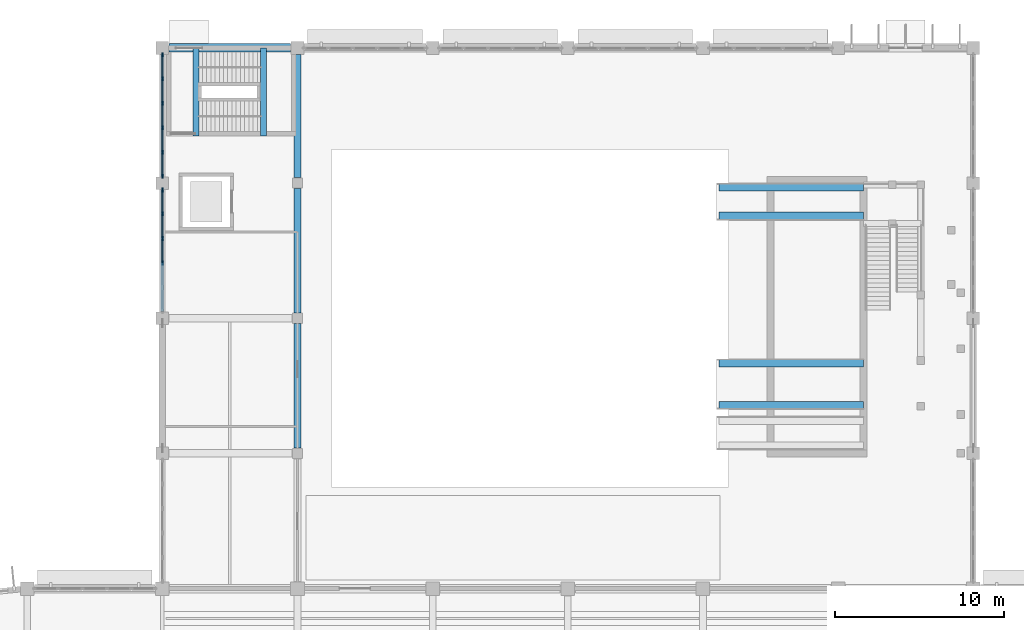
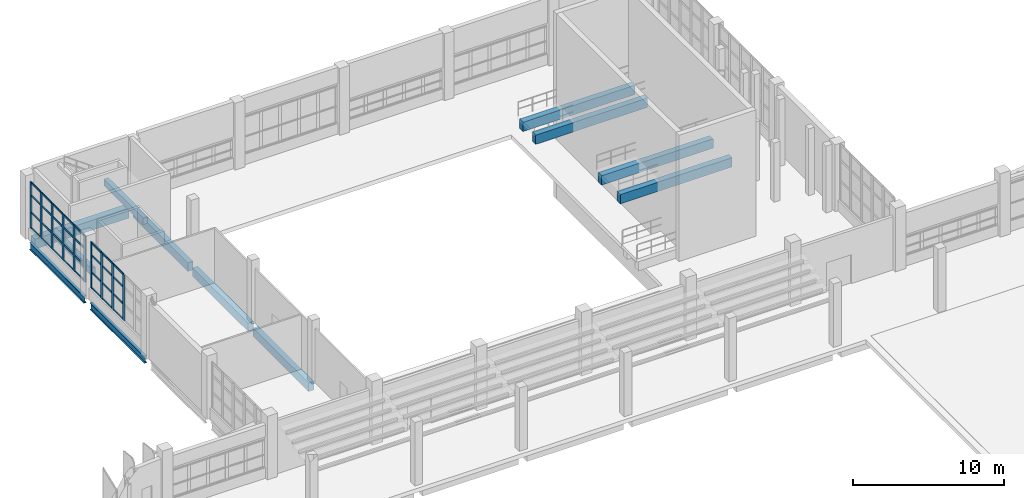
# One storey, part 28 of 103: 42 members, 12 beams, 2 elements without a shape of their own.
"""IFC4 building model written with IfcOpenShell, lengths in metres."""

import ifcopenshell
import ifcopenshell.guid

model = None  # the IFC model being written
_history = None  # IfcOwnerHistory: only IFC2X3 demands one
_inside = {}  # id of a spatial element -> (the spatial element, [elements in it])
_under = {}  # id of a project, library or spatial element -> (it, [spatial elements below it])
_declared = {}  # id of a project -> (the project, [libraries it declares])
_typed = {}  # id of a type object -> (the type object, [elements of that type])
_made_of = {}  # id of a material, layer set ... -> (it, [elements and type objects made of it])


def new_model(schema):
    """Start an empty IFC model of exactly this schema.

    Asked for "IFC4X3", IfcOpenShell would pick the latest addendum, in which some entities
    have other attributes; the version numbers below select the first issue.
    IFC2X3 requires an IfcOwnerHistory on every rooted entity: one is made here for all.
    """
    global model, _history
    if schema == "IFC4X3":
        model = ifcopenshell.file(schema_version=(4, 3, 0, 0))
    else:
        model = ifcopenshell.file(schema=schema)
    _inside.clear()
    _under.clear()
    _declared.clear()
    _typed.clear()
    _made_of.clear()
    _history = None
    if model.schema == "IFC2X3":
        org = make("IfcOrganization", Name="unknown")
        user = make(
            "IfcPersonAndOrganization",
            ThePerson=make("IfcPerson", FamilyName="unknown"),
            TheOrganization=org,
        )
        app = make(
            "IfcApplication",
            ApplicationDeveloper=org,
            Version="unknown",
            ApplicationFullName="unknown",
            ApplicationIdentifier="unknown",
        )
        _history = make(
            "IfcOwnerHistory",
            OwningUser=user,
            OwningApplication=app,
            ChangeAction="ADDED",
            CreationDate=0,
        )
    return model


def make(cls, **values):
    """One entity of the class cls with the attributes given. An attribute that is None is left unset."""
    return model.create_entity(
        cls, **{name: value for name, value in values.items() if value is not None}
    )


def rooted(cls, **values):
    """An entity with a GlobalId (a new one), such as an element, a storey or a relation."""
    return make(cls, GlobalId=ifcopenshell.guid.new(), OwnerHistory=_history, **values)


def si_unit(unit_type, name, prefix=None):
    """IfcSIUnit, for example si_unit("LENGTHUNIT", "METRE", prefix="MILLI")."""
    return make("IfcSIUnit", UnitType=unit_type, Prefix=prefix, Name=name)


def assignment(units):
    """IfcUnitAssignment: the units of a project."""
    return None if units is None else make("IfcUnitAssignment", Units=units)


def point(xyz):
    """IfcCartesianPoint."""
    return None if xyz is None else make("IfcCartesianPoint", Coordinates=xyz)


def direction(xyz):
    """IfcDirection."""
    return None if xyz is None else make("IfcDirection", DirectionRatios=xyz)


def frame(location, z_axis=None, x_axis=None):
    """IfcAxis2Placement3D, a coordinate frame: its origin and axes. An axis left out is left unset."""
    return make(
        "IfcAxis2Placement3D",
        Location=point(location),
        Axis=direction(z_axis),
        RefDirection=direction(x_axis),
    )


def frame_2d(location, x_axis=None):
    """IfcAxis2Placement2D, a coordinate frame in the plane: its origin and x axis."""
    return make(
        "IfcAxis2Placement2D", Location=point(location), RefDirection=direction(x_axis)
    )


def origin():
    """The frame at (0, 0, 0) with its axes left unset."""
    return frame((0.0, 0.0, 0.0))


def origin_2d():
    """The frame at (0, 0) in the plane with its x axis left unset."""
    return frame_2d((0.0, 0.0))


def place(relative_to, where):
    """IfcLocalPlacement: puts the frame where relative to a parent placement (None: the world)."""
    return make(
        "IfcLocalPlacement", PlacementRelTo=relative_to, RelativePlacement=where
    )


def context(
    kind, dimensions, precision=None, world=None, true_north=None, identifier=None
):
    """IfcGeometricRepresentationContext, for example the 3D "Model" context."""
    return make(
        "IfcGeometricRepresentationContext",
        ContextIdentifier=identifier,
        ContextType=kind,
        CoordinateSpaceDimension=dimensions,
        Precision=precision,
        WorldCoordinateSystem=world,
        TrueNorth=true_north,
    )


def subcontext(parent, identifier, kind, view, scale=None):
    """IfcGeometricRepresentationSubContext, for example "Body" below "Model"."""
    return make(
        "IfcGeometricRepresentationSubContext",
        ContextIdentifier=identifier,
        ContextType=kind,
        ParentContext=parent,
        TargetScale=scale,
        TargetView=view,
    )


def project(units=None, contexts=None):
    """IfcProject with its units and contexts."""
    return rooted(
        "IfcProject",
        Name="project",
        RepresentationContexts=contexts,
        UnitsInContext=assignment(units),
    )


def spatial(cls, under=None, at=None, **own):
    """A site, building, storey or space (cls), placed at a placement, below another one or the project."""
    s = rooted(cls, ObjectPlacement=at, **own)
    if under is not None:
        _under.setdefault(under.id(), (under, []))[1].append(s)
    return s


def profile(cls, at=None, kind="AREA", **sizes):
    """A parametric profile (cls). Its sizes go by their IFC names, for example OverallWidth=200.0."""
    return make(cls, ProfileType=kind, Position=at, **sizes)


def rectangle(**sizes):
    """IfcRectangleProfileDef."""
    return profile("IfcRectangleProfileDef", **sizes)


def i_section(**sizes):
    """IfcIShapeProfileDef."""
    return profile("IfcIShapeProfileDef", **sizes)


def extrude(swept, where, along, depth):
    """IfcExtrudedAreaSolid: the profile swept, set in the frame where, extruded along a direction by depth."""
    return make(
        "IfcExtrudedAreaSolid",
        SweptArea=swept,
        Position=where,
        ExtrudedDirection=direction(along),
        Depth=depth,
    )


def shape(context_of_items, identifier, shape_type, items):
    """IfcShapeRepresentation: the items that make up one representation, for example the "Body"."""
    return make(
        "IfcShapeRepresentation",
        ContextOfItems=context_of_items,
        RepresentationIdentifier=identifier,
        RepresentationType=shape_type,
        Items=items,
    )


def material(Name=None, Category=None):
    """IfcMaterial."""
    return make("IfcMaterial", Name=Name, Category=Category)


def layer(
    of_material, thickness, ventilated=None, Name=None, Category=None, Priority=None
):
    """IfcMaterialLayer: one layer of a wall or slab, of a material (None: an air gap)."""
    return make(
        "IfcMaterialLayer",
        Material=of_material,
        LayerThickness=thickness,
        IsVentilated=ventilated,
        Name=Name,
        Category=Category,
        Priority=Priority,
    )


def layer_set(layers, Name=None):
    """IfcMaterialLayerSet."""
    return make("IfcMaterialLayerSet", MaterialLayers=layers, LayerSetName=Name)


def material_profile(
    of_material, cross_section, Name=None, Category=None, Priority=None
):
    """IfcMaterialProfile: a cross section and its material."""
    return make(
        "IfcMaterialProfile",
        Name=Name,
        Material=of_material,
        Profile=cross_section,
        Priority=Priority,
        Category=Category,
    )


def profile_set(profiles, Name=None, composite=None):
    """IfcMaterialProfileSet."""
    return make(
        "IfcMaterialProfileSet",
        Name=Name,
        MaterialProfiles=profiles,
        CompositeProfile=composite,
    )


def made_of(thing, what):
    """Note that an element or type object is made of a material, layer set ...; save() writes the relation."""
    if what is not None:
        _made_of.setdefault(what.id(), (what, []))[1].append(thing)
    return thing


def type_object(cls, material=None, **own):
    """A type object (cls), such as IfcWallType, which elements share."""
    return made_of(rooted(cls, **own), material)


def element(
    cls,
    number,
    at=None,
    inside=None,
    cuts=None,
    type_object=None,
    material=None,
    context=None,
    identifier="Body",
    shape_type=None,
    held_by="IfcProductDefinitionShape",
    body=None,
    shapes=None,
    **own,
):
    """One element of the class cls, such as IfcWall. Its Tag is "e" and its number.

    at: its placement. inside: the storey or other place that contains it. cuts: it is an
    opening in that element (IfcRelVoidsElement). A single representation is given by context,
    identifier, shape_type and body (its items); several are given by shapes. held_by: the class
    of the entity that holds the representations. save() writes the other relations.
    """
    e = rooted(cls, Tag="e%d" % number, ObjectPlacement=at, **own)
    if body is not None:
        shapes = [shape(context, identifier, shape_type, body)]
    if shapes is not None:
        e.Representation = make(held_by, Representations=shapes)
    if inside is not None:
        _inside.setdefault(inside.id(), (inside, []))[1].append(e)
    if cuts is not None:
        rooted(
            "IfcRelVoidsElement", RelatingBuildingElement=cuts, RelatedOpeningElement=e
        )
    if type_object is not None:
        _typed.setdefault(type_object.id(), (type_object, []))[1].append(e)
    return made_of(e, material)


def aggregate(whole, parts):
    """IfcRelAggregates: a whole, such as a stair, and the parts it consists of."""
    return rooted("IfcRelAggregates", RelatingObject=whole, RelatedObjects=parts)


def save(model, path):
    """Write the relations noted so far, then the file.

    IfcRelAggregates (storeys below a building ...), IfcRelContainedInSpatialStructure (elements
    in a storey), IfcRelDefinesByType, IfcRelAssociatesMaterial and IfcRelDeclares: one each for
    every whole, place, type object, material and project.
    """
    for whole, parts in _under.values():
        aggregate(whole, parts)
    for where, things in _inside.values():
        rooted(
            "IfcRelContainedInSpatialStructure",
            RelatedElements=things,
            RelatingStructure=where,
        )
    for kind, things in _typed.values():
        rooted("IfcRelDefinesByType", RelatedObjects=things, RelatingType=kind)
    for what, things in _made_of.values():
        rooted("IfcRelAssociatesMaterial", RelatedObjects=things, RelatingMaterial=what)
    for by, libraries in _declared.values():
        rooted("IfcRelDeclares", RelatingContext=by, RelatedDefinitions=libraries)
    model.write(path)


model = new_model("IFC4")

# Units and contexts
model_context = context("Model", 3, precision=1e-05, world=origin(), true_north=direction((0.0, 1.0)))
body_context = subcontext(model_context, "Body", "Model", "MODEL_VIEW")
ifc_project = project(units=[si_unit("LENGTHUNIT", "METRE"), si_unit("AREAUNIT", "SQUARE_METRE"), si_unit("VOLUMEUNIT", "CUBIC_METRE"), si_unit("PLANEANGLEUNIT", "RADIAN"), si_unit("MASSUNIT", "GRAM", prefix="KILO")], contexts=[model_context])

# Site, building, storey
site_placement = place(None, origin())
site = spatial("IfcSite", under=ifc_project, at=site_placement, CompositionType="ELEMENT")
building_placement = place(site_placement, origin())
building = spatial("IfcBuilding", under=site, at=building_placement, Name="Drelvana Railside Aquatics Centre", CompositionType="ELEMENT")
storey_placement = place(building_placement, origin())
storey = spatial("IfcBuildingStorey", under=building, at=storey_placement, Name="L00", CompositionType="ELEMENT", Elevation=0.0)

# Curtain wall, members
ifc_material_1 = material(Name="Bronze-anodised aluminium curtain wall", Category="aluminium")
ifc_layer = layer(ifc_material_1, 0.2099609375, Name="Bronze-anodised aluminium curtain wall")
ifc_layer_set = layer_set([ifc_layer], Name="Bronze-anodised aluminium curtain wall")
curtain_wall_type = type_object("IfcCurtainWallType", Name="CW-Z7-DIVE", PredefinedType="NOTDEFINED", material=ifc_layer_set)
curtain_wall_1_placement = place(storey_placement, origin())
curtain_wall_1 = element("IfcCurtainWall", 1, at=curtain_wall_1_placement, inside=storey, type_object=curtain_wall_type, Name="Curtain wall CW-07-084", PredefinedType="NOTDEFINED")
ifc_material_2 = material(Name="Bronze-anodised aluminium 6063-T6", Category="aluminium")
ifc_material_profile_1 = material_profile(ifc_material_2, rectangle(XDim=0.080078125, YDim=0.25, at=origin_2d()), Name="ALU-M 80x250")
ifc_profile_set_1 = profile_set([ifc_material_profile_1], Name="Bronze-anodised aluminium 6063-T6")
member_type_1 = type_object("IfcMemberType", Name="CW-Z7-DIVE-MUL", PredefinedType="MULLION", material=ifc_profile_set_1)
member_1_placement = place(storey_placement, frame((24.0, 103.273681640625, 0.843994140625), z_axis=(0.0, 0.0, 1.0), x_axis=(-1.0, 0.0, 0.0)))
member_1 = element("IfcMember", 2, at=member_1_placement, type_object=member_type_1, Name="CW-07 mullion 3", PredefinedType="MULLION", context=body_context, shape_type="SweptSolid", body=[
    extrude(rectangle(XDim=0.080078125, YDim=0.25, at=origin_2d()), origin(), (0.0, 0.0, 1.0), 3.7109375),
])
member_2_placement = place(storey_placement, frame((24.0, 104.726318359375, 0.843994140625), z_axis=(0.0, 0.0, 1.0), x_axis=(-1.0, 0.0, 0.0)))
member_2 = element("IfcMember", 3, at=member_2_placement, type_object=member_type_1, Name="CW-07 mullion 4", PredefinedType="MULLION", context=body_context, shape_type="SweptSolid", body=[
    extrude(rectangle(XDim=0.080078125, YDim=0.25, at=origin_2d()), origin(), (0.0, 0.0, 1.0), 3.7109375),
])
member_3_placement = place(storey_placement, frame((24.0, 106.1787109375, 0.843994140625), z_axis=(0.0, 0.0, 1.0), x_axis=(-1.0, 0.0, 0.0)))
member_3 = element("IfcMember", 4, at=member_3_placement, type_object=member_type_1, Name="CW-07 mullion 5", PredefinedType="MULLION", context=body_context, shape_type="SweptSolid", body=[
    extrude(rectangle(XDim=0.080078125, YDim=0.25, at=origin_2d()), origin(), (0.0, 0.0, 1.0), 3.7109375),
])
member_4_placement = place(storey_placement, frame((24.0, 107.591064453125, 0.843994140625), z_axis=(0.0, 0.0, 1.0), x_axis=(-1.0, 0.0, 0.0)))
member_4 = element("IfcMember", 5, at=member_4_placement, type_object=member_type_1, Name="CW-07 mullion 6", PredefinedType="MULLION", context=body_context, shape_type="SweptSolid", body=[
    extrude(rectangle(XDim=0.080078125, YDim=0.25, at=origin_2d()), origin(), (0.0, 0.0, 1.0), 3.7109375),
])

curtain_wall_2_placement = place(storey_placement, origin())
curtain_wall_2 = element("IfcCurtainWall", 6, at=curtain_wall_2_placement, inside=storey, type_object=curtain_wall_type, Name="Curtain wall CW-07-087", PredefinedType="NOTDEFINED")
member_5_placement = place(storey_placement, frame((24.0, 108.408935546875, 0.843994140625), z_axis=(0.0, 0.0, 1.0), x_axis=(-1.0, 0.0, 0.0)))
member_5 = element("IfcMember", 7, at=member_5_placement, type_object=member_type_1, Name="CW-07 mullion 1", PredefinedType="MULLION", context=body_context, shape_type="SweptSolid", body=[
    extrude(rectangle(XDim=0.080078125, YDim=0.25, at=origin_2d()), origin(), (0.0, 0.0, 1.0), 3.7109375),
])
member_6_placement = place(storey_placement, frame((24.0, 109.8212890625, 0.843994140625), z_axis=(0.0, 0.0, 1.0), x_axis=(-1.0, 0.0, 0.0)))
member_6 = element("IfcMember", 8, at=member_6_placement, type_object=member_type_1, Name="CW-07 mullion 2", PredefinedType="MULLION", context=body_context, shape_type="SweptSolid", body=[
    extrude(rectangle(XDim=0.080078125, YDim=0.25, at=origin_2d()), origin(), (0.0, 0.0, 1.0), 3.7109375),
])
member_7_placement = place(storey_placement, frame((24.0, 111.273681640625, 0.843994140625), z_axis=(0.0, 0.0, 1.0), x_axis=(-1.0, 0.0, 0.0)))
member_7 = element("IfcMember", 9, at=member_7_placement, type_object=member_type_1, Name="CW-07 mullion 3", PredefinedType="MULLION", context=body_context, shape_type="SweptSolid", body=[
    extrude(rectangle(XDim=0.080078125, YDim=0.25, at=origin_2d()), origin(), (0.0, 0.0, 1.0), 3.7109375),
])
member_8_placement = place(storey_placement, frame((24.0, 112.726318359375, 0.843994140625), z_axis=(0.0, 0.0, 1.0), x_axis=(-1.0, 0.0, 0.0)))
member_8 = element("IfcMember", 10, at=member_8_placement, type_object=member_type_1, Name="CW-07 mullion 4", PredefinedType="MULLION", context=body_context, shape_type="SweptSolid", body=[
    extrude(rectangle(XDim=0.080078125, YDim=0.25, at=origin_2d()), origin(), (0.0, 0.0, 1.0), 3.7109375),
])
member_9_placement = place(storey_placement, frame((24.0, 114.1787109375, 0.843994140625), z_axis=(0.0, 0.0, 1.0), x_axis=(-1.0, 0.0, 0.0)))
member_9 = element("IfcMember", 11, at=member_9_placement, type_object=member_type_1, Name="CW-07 mullion 5", PredefinedType="MULLION", context=body_context, shape_type="SweptSolid", body=[
    extrude(rectangle(XDim=0.080078125, YDim=0.25, at=origin_2d()), origin(), (0.0, 0.0, 1.0), 3.7109375),
])
member_10_placement = place(storey_placement, frame((24.0, 115.591064453125, 0.843994140625), z_axis=(0.0, 0.0, 1.0), x_axis=(-1.0, 0.0, 0.0)))
member_10 = element("IfcMember", 12, at=member_10_placement, type_object=member_type_1, Name="CW-07 mullion 6", PredefinedType="MULLION", context=body_context, shape_type="SweptSolid", body=[
    extrude(rectangle(XDim=0.080078125, YDim=0.25, at=origin_2d()), origin(), (0.0, 0.0, 1.0), 3.7109375),
])

# Member
ifc_material_profile_2 = material_profile(ifc_material_2, rectangle(XDim=0.159912109375, YDim=0.070068359375, at=origin_2d()), Name="ALU-T 70x160")
ifc_profile_set_2 = profile_set([ifc_material_profile_2], Name="Bronze-anodised aluminium 6063-T6")
member_type_2 = type_object("IfcMemberType", Name="CW-Z7-DIVE-TRN", PredefinedType="USERDEFINED", material=ifc_profile_set_2)
member_11_placement = place(storey_placement, frame((24.0, 103.308837890625, 0.87890625), z_axis=(0.0, 1.0, 0.0), x_axis=(0.0, 0.0, 1.0)))
member_11 = element("IfcMember", 13, at=member_11_placement, type_object=member_type_2, Name="CW-07 transom 3.1", ObjectType="TRANSOM", PredefinedType="USERDEFINED", context=body_context, shape_type="SweptSolid", body=[
    extrude(rectangle(XDim=0.159912109375, YDim=0.070068359375, at=origin_2d()), origin(), (0.0, 0.0, 1.0), 1.38232421875),
])

member_12_placement = place(storey_placement, frame((24.0, 103.308837890625, 2.14306640625), z_axis=(0.0, 1.0, 0.0), x_axis=(0.0, 0.0, 1.0)))
member_12 = element("IfcMember", 14, at=member_12_placement, type_object=member_type_2, Name="CW-07 transom 3.2", ObjectType="TRANSOM", PredefinedType="USERDEFINED", context=body_context, shape_type="SweptSolid", body=[
    extrude(rectangle(XDim=0.159912109375, YDim=0.070068359375, at=origin_2d()), origin(), (0.0, 0.0, 1.0), 1.38232421875),
])

member_13_placement = place(storey_placement, frame((24.0, 103.308837890625, 3.51611328125), z_axis=(0.0, 1.0, 0.0), x_axis=(0.0, 0.0, 1.0)))
member_13 = element("IfcMember", 15, at=member_13_placement, type_object=member_type_2, Name="CW-07 transom 3.3", ObjectType="TRANSOM", PredefinedType="USERDEFINED", context=body_context, shape_type="SweptSolid", body=[
    extrude(rectangle(XDim=0.159912109375, YDim=0.070068359375, at=origin_2d()), origin(), (0.0, 0.0, 1.0), 1.38232421875),
])

member_14_placement = place(storey_placement, frame((24.0, 103.308837890625, 4.52001953125), z_axis=(0.0, 1.0, 0.0), x_axis=(0.0, 0.0, 1.0)))
member_14 = element("IfcMember", 16, at=member_14_placement, type_object=member_type_2, Name="CW-07 transom 3.4", ObjectType="TRANSOM", PredefinedType="USERDEFINED", context=body_context, shape_type="SweptSolid", body=[
    extrude(rectangle(XDim=0.159912109375, YDim=0.070068359375, at=origin_2d()), origin(), (0.0, 0.0, 1.0), 1.38232421875),
])

member_15_placement = place(storey_placement, frame((24.0, 104.76123046875, 0.87890625), z_axis=(0.0, 1.0, 0.0), x_axis=(0.0, 0.0, 1.0)))
member_15 = element("IfcMember", 17, at=member_15_placement, type_object=member_type_2, Name="CW-07 transom 4.1", ObjectType="TRANSOM", PredefinedType="USERDEFINED", context=body_context, shape_type="SweptSolid", body=[
    extrude(rectangle(XDim=0.159912109375, YDim=0.070068359375, at=origin_2d()), origin(), (0.0, 0.0, 1.0), 1.38232421875),
])

member_16_placement = place(storey_placement, frame((24.0, 104.76123046875, 2.14306640625), z_axis=(0.0, 1.0, 0.0), x_axis=(0.0, 0.0, 1.0)))
member_16 = element("IfcMember", 18, at=member_16_placement, type_object=member_type_2, Name="CW-07 transom 4.2", ObjectType="TRANSOM", PredefinedType="USERDEFINED", context=body_context, shape_type="SweptSolid", body=[
    extrude(rectangle(XDim=0.159912109375, YDim=0.070068359375, at=origin_2d()), origin(), (0.0, 0.0, 1.0), 1.38232421875),
])

member_17_placement = place(storey_placement, frame((24.0, 104.76123046875, 3.51611328125), z_axis=(0.0, 1.0, 0.0), x_axis=(0.0, 0.0, 1.0)))
member_17 = element("IfcMember", 19, at=member_17_placement, type_object=member_type_2, Name="CW-07 transom 4.3", ObjectType="TRANSOM", PredefinedType="USERDEFINED", context=body_context, shape_type="SweptSolid", body=[
    extrude(rectangle(XDim=0.159912109375, YDim=0.070068359375, at=origin_2d()), origin(), (0.0, 0.0, 1.0), 1.38232421875),
])

member_18_placement = place(storey_placement, frame((24.0, 104.76123046875, 4.52001953125), z_axis=(0.0, 1.0, 0.0), x_axis=(0.0, 0.0, 1.0)))
member_18 = element("IfcMember", 20, at=member_18_placement, type_object=member_type_2, Name="CW-07 transom 4.4", ObjectType="TRANSOM", PredefinedType="USERDEFINED", context=body_context, shape_type="SweptSolid", body=[
    extrude(rectangle(XDim=0.159912109375, YDim=0.070068359375, at=origin_2d()), origin(), (0.0, 0.0, 1.0), 1.38232421875),
])

member_19_placement = place(storey_placement, frame((24.0, 106.213623046875, 0.87890625), z_axis=(0.0, 1.0, 0.0), x_axis=(0.0, 0.0, 1.0)))
member_19 = element("IfcMember", 21, at=member_19_placement, type_object=member_type_2, Name="CW-07 transom 5.1", ObjectType="TRANSOM", PredefinedType="USERDEFINED", context=body_context, shape_type="SweptSolid", body=[
    extrude(rectangle(XDim=0.159912109375, YDim=0.070068359375, at=origin_2d()), origin(), (0.0, 0.0, 1.0), 1.34228515625),
])

member_20_placement = place(storey_placement, frame((24.0, 106.213623046875, 2.14306640625), z_axis=(0.0, 1.0, 0.0), x_axis=(0.0, 0.0, 1.0)))
member_20 = element("IfcMember", 22, at=member_20_placement, type_object=member_type_2, Name="CW-07 transom 5.2", ObjectType="TRANSOM", PredefinedType="USERDEFINED", context=body_context, shape_type="SweptSolid", body=[
    extrude(rectangle(XDim=0.159912109375, YDim=0.070068359375, at=origin_2d()), origin(), (0.0, 0.0, 1.0), 1.34228515625),
])

member_21_placement = place(storey_placement, frame((24.0, 106.213623046875, 3.51611328125), z_axis=(0.0, 1.0, 0.0), x_axis=(0.0, 0.0, 1.0)))
member_21 = element("IfcMember", 23, at=member_21_placement, type_object=member_type_2, Name="CW-07 transom 5.3", ObjectType="TRANSOM", PredefinedType="USERDEFINED", context=body_context, shape_type="SweptSolid", body=[
    extrude(rectangle(XDim=0.159912109375, YDim=0.070068359375, at=origin_2d()), origin(), (0.0, 0.0, 1.0), 1.34228515625),
])

member_22_placement = place(storey_placement, frame((24.0, 106.213623046875, 4.52001953125), z_axis=(0.0, 1.0, 0.0), x_axis=(0.0, 0.0, 1.0)))
member_22 = element("IfcMember", 24, at=member_22_placement, type_object=member_type_2, Name="CW-07 transom 5.4", ObjectType="TRANSOM", PredefinedType="USERDEFINED", context=body_context, shape_type="SweptSolid", body=[
    extrude(rectangle(XDim=0.159912109375, YDim=0.070068359375, at=origin_2d()), origin(), (0.0, 0.0, 1.0), 1.34228515625),
])

aggregate(curtain_wall_1, [member_1, member_2, member_3, member_4, member_11, member_12, member_13, member_14, member_15, member_16, member_17, member_18, member_19, member_20, member_21, member_22])

member_23_placement = place(storey_placement, frame((24.0, 108.444091796875, 0.87890625), z_axis=(0.0, 1.0, 0.0), x_axis=(0.0, 0.0, 1.0)))
member_23 = element("IfcMember", 25, at=member_23_placement, type_object=member_type_2, Name="CW-07 transom 1.1", ObjectType="TRANSOM", PredefinedType="USERDEFINED", context=body_context, shape_type="SweptSolid", body=[
    extrude(rectangle(XDim=0.159912109375, YDim=0.070068359375, at=origin_2d()), origin(), (0.0, 0.0, 1.0), 1.34228515625),
])

member_24_placement = place(storey_placement, frame((24.0, 108.444091796875, 2.14306640625), z_axis=(0.0, 1.0, 0.0), x_axis=(0.0, 0.0, 1.0)))
member_24 = element("IfcMember", 26, at=member_24_placement, type_object=member_type_2, Name="CW-07 transom 1.2", ObjectType="TRANSOM", PredefinedType="USERDEFINED", context=body_context, shape_type="SweptSolid", body=[
    extrude(rectangle(XDim=0.159912109375, YDim=0.070068359375, at=origin_2d()), origin(), (0.0, 0.0, 1.0), 1.34228515625),
])

member_25_placement = place(storey_placement, frame((24.0, 108.444091796875, 3.51611328125), z_axis=(0.0, 1.0, 0.0), x_axis=(0.0, 0.0, 1.0)))
member_25 = element("IfcMember", 27, at=member_25_placement, type_object=member_type_2, Name="CW-07 transom 1.3", ObjectType="TRANSOM", PredefinedType="USERDEFINED", context=body_context, shape_type="SweptSolid", body=[
    extrude(rectangle(XDim=0.159912109375, YDim=0.070068359375, at=origin_2d()), origin(), (0.0, 0.0, 1.0), 1.34228515625),
])

member_26_placement = place(storey_placement, frame((24.0, 108.444091796875, 4.52001953125), z_axis=(0.0, 1.0, 0.0), x_axis=(0.0, 0.0, 1.0)))
member_26 = element("IfcMember", 28, at=member_26_placement, type_object=member_type_2, Name="CW-07 transom 1.4", ObjectType="TRANSOM", PredefinedType="USERDEFINED", context=body_context, shape_type="SweptSolid", body=[
    extrude(rectangle(XDim=0.159912109375, YDim=0.070068359375, at=origin_2d()), origin(), (0.0, 0.0, 1.0), 1.34228515625),
])

member_27_placement = place(storey_placement, frame((24.0, 109.8564453125, 0.87890625), z_axis=(0.0, 1.0, 0.0), x_axis=(0.0, 0.0, 1.0)))
member_27 = element("IfcMember", 29, at=member_27_placement, type_object=member_type_2, Name="CW-07 transom 2.1", ObjectType="TRANSOM", PredefinedType="USERDEFINED", context=body_context, shape_type="SweptSolid", body=[
    extrude(rectangle(XDim=0.159912109375, YDim=0.070068359375, at=origin_2d()), origin(), (0.0, 0.0, 1.0), 1.38232421875),
])

member_28_placement = place(storey_placement, frame((24.0, 109.8564453125, 2.14306640625), z_axis=(0.0, 1.0, 0.0), x_axis=(0.0, 0.0, 1.0)))
member_28 = element("IfcMember", 30, at=member_28_placement, type_object=member_type_2, Name="CW-07 transom 2.2", ObjectType="TRANSOM", PredefinedType="USERDEFINED", context=body_context, shape_type="SweptSolid", body=[
    extrude(rectangle(XDim=0.159912109375, YDim=0.070068359375, at=origin_2d()), origin(), (0.0, 0.0, 1.0), 1.38232421875),
])

member_29_placement = place(storey_placement, frame((24.0, 109.8564453125, 3.51611328125), z_axis=(0.0, 1.0, 0.0), x_axis=(0.0, 0.0, 1.0)))
member_29 = element("IfcMember", 31, at=member_29_placement, type_object=member_type_2, Name="CW-07 transom 2.3", ObjectType="TRANSOM", PredefinedType="USERDEFINED", context=body_context, shape_type="SweptSolid", body=[
    extrude(rectangle(XDim=0.159912109375, YDim=0.070068359375, at=origin_2d()), origin(), (0.0, 0.0, 1.0), 1.38232421875),
])

member_30_placement = place(storey_placement, frame((24.0, 109.8564453125, 4.52001953125), z_axis=(0.0, 1.0, 0.0), x_axis=(0.0, 0.0, 1.0)))
member_30 = element("IfcMember", 32, at=member_30_placement, type_object=member_type_2, Name="CW-07 transom 2.4", ObjectType="TRANSOM", PredefinedType="USERDEFINED", context=body_context, shape_type="SweptSolid", body=[
    extrude(rectangle(XDim=0.159912109375, YDim=0.070068359375, at=origin_2d()), origin(), (0.0, 0.0, 1.0), 1.38232421875),
])

member_31_placement = place(storey_placement, frame((24.0, 111.308837890625, 0.87890625), z_axis=(0.0, 1.0, 0.0), x_axis=(0.0, 0.0, 1.0)))
member_31 = element("IfcMember", 33, at=member_31_placement, type_object=member_type_2, Name="CW-07 transom 3.1", ObjectType="TRANSOM", PredefinedType="USERDEFINED", context=body_context, shape_type="SweptSolid", body=[
    extrude(rectangle(XDim=0.159912109375, YDim=0.070068359375, at=origin_2d()), origin(), (0.0, 0.0, 1.0), 1.38232421875),
])

member_32_placement = place(storey_placement, frame((24.0, 111.308837890625, 2.14306640625), z_axis=(0.0, 1.0, 0.0), x_axis=(0.0, 0.0, 1.0)))
member_32 = element("IfcMember", 34, at=member_32_placement, type_object=member_type_2, Name="CW-07 transom 3.2", ObjectType="TRANSOM", PredefinedType="USERDEFINED", context=body_context, shape_type="SweptSolid", body=[
    extrude(rectangle(XDim=0.159912109375, YDim=0.070068359375, at=origin_2d()), origin(), (0.0, 0.0, 1.0), 1.38232421875),
])

member_33_placement = place(storey_placement, frame((24.0, 111.308837890625, 3.51611328125), z_axis=(0.0, 1.0, 0.0), x_axis=(0.0, 0.0, 1.0)))
member_33 = element("IfcMember", 35, at=member_33_placement, type_object=member_type_2, Name="CW-07 transom 3.3", ObjectType="TRANSOM", PredefinedType="USERDEFINED", context=body_context, shape_type="SweptSolid", body=[
    extrude(rectangle(XDim=0.159912109375, YDim=0.070068359375, at=origin_2d()), origin(), (0.0, 0.0, 1.0), 1.38232421875),
])

member_34_placement = place(storey_placement, frame((24.0, 111.308837890625, 4.52001953125), z_axis=(0.0, 1.0, 0.0), x_axis=(0.0, 0.0, 1.0)))
member_34 = element("IfcMember", 36, at=member_34_placement, type_object=member_type_2, Name="CW-07 transom 3.4", ObjectType="TRANSOM", PredefinedType="USERDEFINED", context=body_context, shape_type="SweptSolid", body=[
    extrude(rectangle(XDim=0.159912109375, YDim=0.070068359375, at=origin_2d()), origin(), (0.0, 0.0, 1.0), 1.38232421875),
])

member_35_placement = place(storey_placement, frame((24.0, 112.76123046875, 0.87890625), z_axis=(0.0, 1.0, 0.0), x_axis=(0.0, 0.0, 1.0)))
member_35 = element("IfcMember", 37, at=member_35_placement, type_object=member_type_2, Name="CW-07 transom 4.1", ObjectType="TRANSOM", PredefinedType="USERDEFINED", context=body_context, shape_type="SweptSolid", body=[
    extrude(rectangle(XDim=0.159912109375, YDim=0.070068359375, at=origin_2d()), origin(), (0.0, 0.0, 1.0), 1.38232421875),
])

member_36_placement = place(storey_placement, frame((24.0, 112.76123046875, 2.14306640625), z_axis=(0.0, 1.0, 0.0), x_axis=(0.0, 0.0, 1.0)))
member_36 = element("IfcMember", 38, at=member_36_placement, type_object=member_type_2, Name="CW-07 transom 4.2", ObjectType="TRANSOM", PredefinedType="USERDEFINED", context=body_context, shape_type="SweptSolid", body=[
    extrude(rectangle(XDim=0.159912109375, YDim=0.070068359375, at=origin_2d()), origin(), (0.0, 0.0, 1.0), 1.38232421875),
])

member_37_placement = place(storey_placement, frame((24.0, 112.76123046875, 3.51611328125), z_axis=(0.0, 1.0, 0.0), x_axis=(0.0, 0.0, 1.0)))
member_37 = element("IfcMember", 39, at=member_37_placement, type_object=member_type_2, Name="CW-07 transom 4.3", ObjectType="TRANSOM", PredefinedType="USERDEFINED", context=body_context, shape_type="SweptSolid", body=[
    extrude(rectangle(XDim=0.159912109375, YDim=0.070068359375, at=origin_2d()), origin(), (0.0, 0.0, 1.0), 1.38232421875),
])

member_38_placement = place(storey_placement, frame((24.0, 112.76123046875, 4.52001953125), z_axis=(0.0, 1.0, 0.0), x_axis=(0.0, 0.0, 1.0)))
member_38 = element("IfcMember", 40, at=member_38_placement, type_object=member_type_2, Name="CW-07 transom 4.4", ObjectType="TRANSOM", PredefinedType="USERDEFINED", context=body_context, shape_type="SweptSolid", body=[
    extrude(rectangle(XDim=0.159912109375, YDim=0.070068359375, at=origin_2d()), origin(), (0.0, 0.0, 1.0), 1.38232421875),
])

member_39_placement = place(storey_placement, frame((24.0, 114.213623046875, 0.87890625), z_axis=(0.0, 1.0, 0.0), x_axis=(0.0, 0.0, 1.0)))
member_39 = element("IfcMember", 41, at=member_39_placement, type_object=member_type_2, Name="CW-07 transom 5.1", ObjectType="TRANSOM", PredefinedType="USERDEFINED", context=body_context, shape_type="SweptSolid", body=[
    extrude(rectangle(XDim=0.159912109375, YDim=0.070068359375, at=origin_2d()), origin(), (0.0, 0.0, 1.0), 1.34228515625),
])

member_40_placement = place(storey_placement, frame((24.0, 114.213623046875, 2.14306640625), z_axis=(0.0, 1.0, 0.0), x_axis=(0.0, 0.0, 1.0)))
member_40 = element("IfcMember", 42, at=member_40_placement, type_object=member_type_2, Name="CW-07 transom 5.2", ObjectType="TRANSOM", PredefinedType="USERDEFINED", context=body_context, shape_type="SweptSolid", body=[
    extrude(rectangle(XDim=0.159912109375, YDim=0.070068359375, at=origin_2d()), origin(), (0.0, 0.0, 1.0), 1.34228515625),
])

member_41_placement = place(storey_placement, frame((24.0, 114.213623046875, 3.51611328125), z_axis=(0.0, 1.0, 0.0), x_axis=(0.0, 0.0, 1.0)))
member_41 = element("IfcMember", 43, at=member_41_placement, type_object=member_type_2, Name="CW-07 transom 5.3", ObjectType="TRANSOM", PredefinedType="USERDEFINED", context=body_context, shape_type="SweptSolid", body=[
    extrude(rectangle(XDim=0.159912109375, YDim=0.070068359375, at=origin_2d()), origin(), (0.0, 0.0, 1.0), 1.34228515625),
])

member_42_placement = place(storey_placement, frame((24.0, 114.213623046875, 4.52001953125), z_axis=(0.0, 1.0, 0.0), x_axis=(0.0, 0.0, 1.0)))
member_42 = element("IfcMember", 44, at=member_42_placement, type_object=member_type_2, Name="CW-07 transom 5.4", ObjectType="TRANSOM", PredefinedType="USERDEFINED", context=body_context, shape_type="SweptSolid", body=[
    extrude(rectangle(XDim=0.159912109375, YDim=0.070068359375, at=origin_2d()), origin(), (0.0, 0.0, 1.0), 1.34228515625),
])

aggregate(curtain_wall_2, [member_5, member_6, member_7, member_8, member_9, member_10, member_23, member_24, member_25, member_26, member_27, member_28, member_29, member_30, member_31, member_32, member_33, member_34, member_35, member_36, member_37, member_38, member_39, member_40, member_41, member_42])

# Beams
ifc_material_3 = material(Name="Concrete C40/50", Category="concrete")
ifc_material_profile_3 = material_profile(ifc_material_3, rectangle(XDim=0.35009765625, YDim=0.550048828125, at=origin_2d()), Name="RC 350x550")
ifc_profile_set_3 = profile_set([ifc_material_profile_3], Name="Concrete C40/50")
beam_type_1 = type_object("IfcBeamType", Name="STR-BM-BM-01-RC-350x550", PredefinedType="BEAM", material=ifc_profile_set_3)
for number, where, z_axis, x_axis, name in (
    (45, (26.0, 110.800048828125, -0.47509765625), (0.0, 1.0, 0.0), (-1.0, 0.0, 0.0), "Stair ST-03 L00 landing beam"),
    (46, (29.989990234375, 110.800048828125, 2.22509765625), (0.0, 1.0, 0.0), (-1.0, 0.0, 0.0), "Stair ST-03 L00 mid-landing beam"),
):
    element("IfcBeam", number, at=place(storey_placement, frame(where, z_axis=z_axis, x_axis=x_axis)), inside=storey, type_object=beam_type_1, Name=name, PredefinedType="BEAM", context=body_context, shape_type="SweptSolid", body=[
        extrude(rectangle(XDim=0.35009765625, YDim=0.550048828125, at=origin_2d()), origin(), (0.0, 0.0, 1.0), 5.199951171875),
    ])
ifc_material_profile_4 = material_profile(ifc_material_3, rectangle(XDim=0.39990234375, YDim=0.699951171875, at=origin_2d()), Name="RC 400x700")
ifc_profile_set_4 = profile_set([ifc_material_profile_4], Name="Concrete C40/50")
beam_type_2 = type_object("IfcBeamType", Name="STR-BM-BM-03-RC-400x700", PredefinedType="BEAM", material=ifc_profile_set_4)
for number, where, z_axis, x_axis, name in (
    (47, (32.0, 92.324951171875, -0.679931640625), (0.0, 1.0, 0.0), (-1.0, 0.0, 0.0), "Girder BM-03 (L00)"),
    (48, (32.0, 100.324951171875, -0.679931640625), (0.0, 1.0, 0.0), (-1.0, 0.0, 0.0), "Girder BM-03 (L00)"),
):
    element("IfcBeam", number, at=place(storey_placement, frame(where, z_axis=z_axis, x_axis=x_axis)), inside=storey, type_object=beam_type_2, Name=name, PredefinedType="BEAM", context=body_context, shape_type="SweptSolid", body=[
        extrude(rectangle(XDim=0.39990234375, YDim=0.699951171875, at=origin_2d()), origin(), (0.0, 0.0, 1.0), 7.35009765625),
    ])
beam_1_placement = place(storey_placement, frame((32.0, 108.324951171875, -0.679931640625), z_axis=(0.0, 1.0, 0.0), x_axis=(-1.0, 0.0, 0.0)))
element("IfcBeam", 49, at=beam_1_placement, inside=storey, type_object=beam_type_2, Name="Girder BM-03 (L00)", PredefinedType="BEAM", context=body_context, shape_type="SweptSolid", body=[
    extrude(rectangle(XDim=0.39990234375, YDim=0.699951171875, at=origin_2d()), origin(), (0.0, 0.0, 1.0), 7.275146484375),
])
ifc_material_profile_5 = material_profile(ifc_material_3, rectangle(XDim=0.449951171875, YDim=0.75, at=origin_2d()), Name="RC 450x750")
ifc_profile_set_5 = profile_set([ifc_material_profile_5], Name="Concrete C40/50")
beam_type_3 = type_object("IfcBeamType", Name="STR-BM-BM-04-RC-450x750", PredefinedType="BEAM", material=ifc_profile_set_5)
for number, where, z_axis, x_axis, name in (
    (50, (65.5, 106.050048828125, 2.3349609375), (-1.0, 0.0, 0.0), (0.0, -1.0, 0.0), "Diving platform 3M support beam 1"),
    (51, (65.5, 107.75, 2.3349609375), (-1.0, 0.0, 0.0), (0.0, -1.0, 0.0), "Diving platform 3M support beam 2"),
    (52, (65.5, 94.85009765625, 4.31494140625), (-1.0, 0.0, 0.0), (0.0, -1.0, 0.0), "Diving platform 5M support beam 1"),
    (53, (65.5, 97.35009765625, 4.31494140625), (-1.0, 0.0, 0.0), (0.0, -1.0, 0.0), "Diving platform 5M support beam 2"),
):
    element("IfcBeam", number, at=place(storey_placement, frame(where, z_axis=z_axis, x_axis=x_axis)), inside=storey, type_object=beam_type_3, Name=name, PredefinedType="BEAM", context=body_context, shape_type="SweptSolid", body=[
        extrude(rectangle(XDim=0.449951171875, YDim=0.75, at=origin_2d()), origin(), (0.0, 0.0, 1.0), 8.550048828125),
    ])
ifc_material_profile_6 = material_profile(ifc_material_3, rectangle(XDim=0.5, YDim=0.800048828125, at=origin_2d()), Name="RC 500x800")
ifc_profile_set_6 = profile_set([ifc_material_profile_6], Name="Concrete C40/50")
beam_type_4 = type_object("IfcBeamType", Name="STR-BM-BM-06-RC-500x800", PredefinedType="SPANDREL", material=ifc_profile_set_6)
beam_2_placement = place(storey_placement, frame((24.39990234375, 116.0, -0.72998046875), z_axis=(1.0, 0.0, 0.0), x_axis=(0.0, 1.0, 0.0)))
element("IfcBeam", 54, at=beam_2_placement, inside=storey, type_object=beam_type_4, Name="Girder BM-06 (L00)", PredefinedType="SPANDREL", context=body_context, shape_type="SweptSolid", body=[
    extrude(rectangle(XDim=0.5, YDim=0.800048828125, at=origin_2d()), origin(), (0.0, 0.0, 1.0), 7.2001953125),
])
ifc_material_4 = material(Name="Structural steel S355", Category="steel")
ifc_material_profile_7 = material_profile(ifc_material_4, i_section(OverallWidth=0.2099609375, OverallDepth=0.550048828125, WebThickness=0.010986328125, FlangeThickness=0.01708984375, at=origin_2d()), Name="IPE 550")
ifc_profile_set_7 = profile_set([ifc_material_profile_7], Name="Structural steel S355")
beam_type_5 = type_object("IfcBeamType", Name="STR-SBM-SB-04-IPE-550", PredefinedType="SPANDREL", material=ifc_profile_set_7)
for number, where, z_axis, x_axis, name in (
    (55, (24.0, 100.39990234375, -0.60498046875), (0.0, 1.0, 0.0), (-1.0, 0.0, 0.0), "Girder SB-04 (L00)"),
    (56, (24.0, 108.39990234375, -0.60498046875), (0.0, 1.0, 0.0), (-1.0, 0.0, 0.0), "Girder SB-04 (L00)"),
):
    element("IfcBeam", number, at=place(storey_placement, frame(where, z_axis=z_axis, x_axis=x_axis)), inside=storey, type_object=beam_type_5, Name=name, PredefinedType="SPANDREL", context=body_context, shape_type="SweptSolid", body=[
        extrude(i_section(OverallWidth=0.2099609375, OverallDepth=0.550048828125, WebThickness=0.010986328125, FlangeThickness=0.01708984375, at=origin_2d()), origin(), (0.0, 0.0, 1.0), 7.2001953125),
    ])

save(model, "model.ifc")
